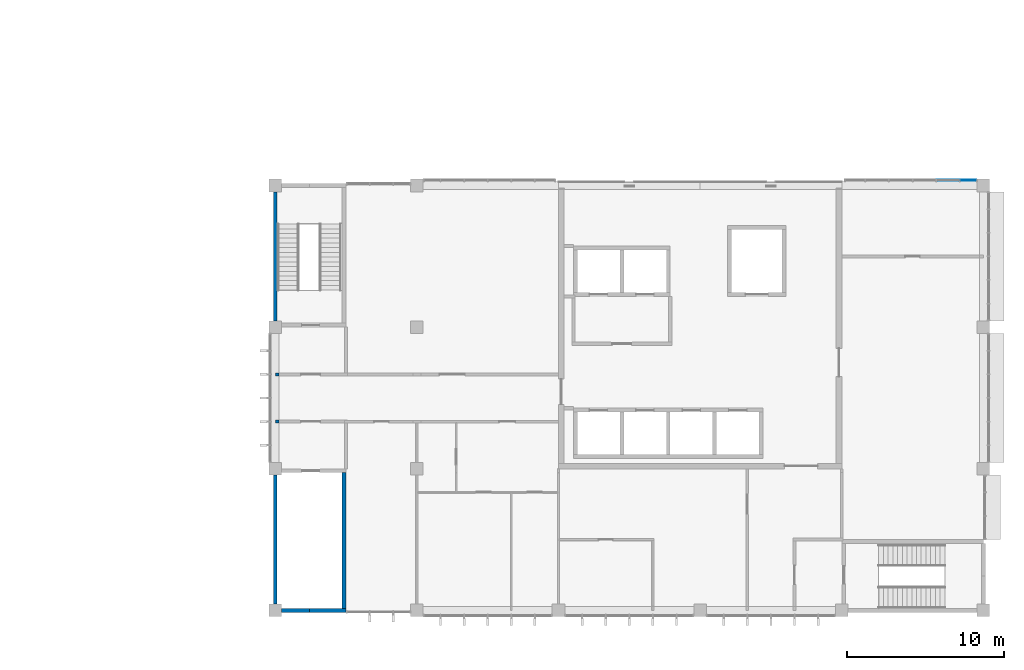
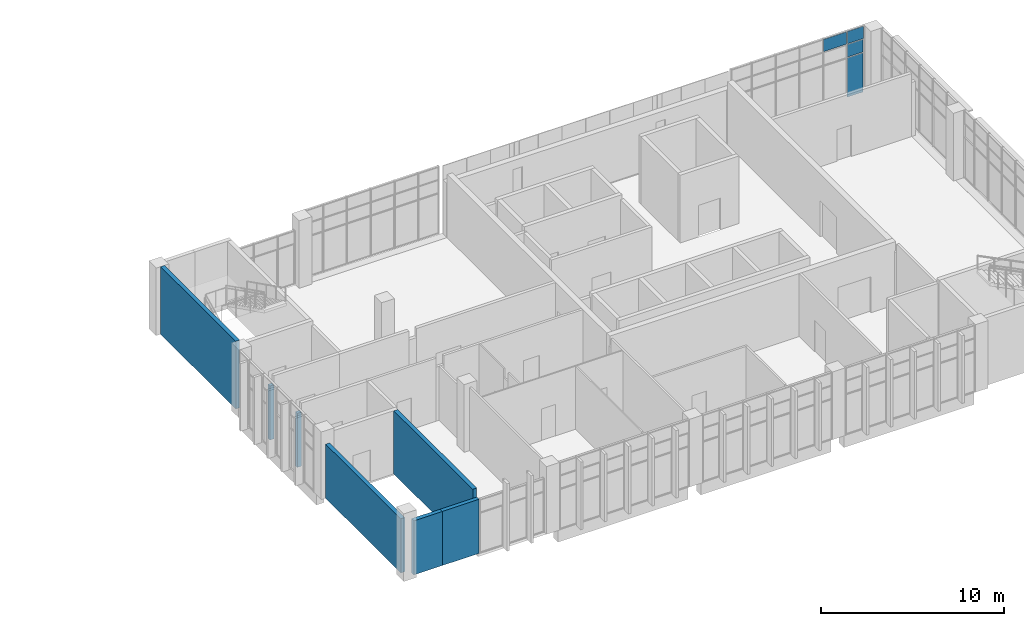
# One storey, part 12 of 19: 7 walls, 4 plates, 1 element without a shape of its own.
"""IFC4 building model written with IfcOpenShell, lengths in metres."""

from ifc_helpers import new_model, si_unit, direction, frame, frame_2d, origin, origin_2d, place, context, subcontext, project, spatial, rectangle, extrude, material, layer, layer_set, type_object, element, aggregate, save


model = new_model("IFC4")

# Units and contexts
model_context = context("Model", 3, precision=1e-05, world=origin(), true_north=direction((0.0, 1.0)))
body_context = subcontext(model_context, "Body", "Model", "MODEL_VIEW")
ifc_project = project(units=[si_unit("LENGTHUNIT", "METRE"), si_unit("AREAUNIT", "SQUARE_METRE"), si_unit("VOLUMEUNIT", "CUBIC_METRE"), si_unit("PLANEANGLEUNIT", "RADIAN"), si_unit("MASSUNIT", "GRAM", prefix="KILO")], contexts=[model_context])

# Site, building, storey
site_placement = place(None, origin())
site = spatial("IfcSite", under=ifc_project, at=site_placement, CompositionType="ELEMENT")
building_placement = place(site_placement, origin())
building = spatial("IfcBuilding", under=site, at=building_placement, Name="Guidao Yard Department Store", CompositionType="ELEMENT")
storey_placement = place(building_placement, frame((0.0, 0.0, 33.0)))
storey = spatial("IfcBuildingStorey", under=building, at=storey_placement, Name="L07", CompositionType="ELEMENT", Elevation=33.0)

# Curtain wall, plates
ifc_material_1 = material(Name="Aluminium and glass", Category="aluminium")
ifc_layer_1 = layer(ifc_material_1, 0.159912109375)
ifc_layer_set_1 = layer_set([ifc_layer_1], Name="Unitised curtain wall CW4 1500 module")
curtain_wall_type = type_object("IfcCurtainWallType", Name="Unitised curtain wall CW4 1500 module", PredefinedType="NOTDEFINED", material=ifc_layer_set_1)
curtain_wall_placement = place(storey_placement, origin())
curtain_wall = element("IfcCurtainWall", 1, at=curtain_wall_placement, inside=storey, type_object=curtain_wall_type, Name="Unitised curtain wall", PredefinedType="NOTDEFINED")
ifc_material_2 = material(Name="Aluminium 6063-T5 faced insulated spandrel", Category="aluminium")
ifc_layer_2 = layer(ifc_material_2, 0.06005859375)
ifc_layer_set_2 = layer_set([ifc_layer_2], Name="Spandrel panel SP1 insulated opaque")
plate_type_1 = type_object("IfcPlateType", Name="Spandrel panel SP1 insulated opaque", PredefinedType="CURTAIN_PANEL", material=ifc_layer_set_2)
plate_1_placement = place(storey_placement, frame((168.75, 27.330078125, 3.6298828125), z_axis=(0.0, 0.0, 1.0), x_axis=(1.0, 0.0, 0.0)))
plate_1 = element("IfcPlate", 2, at=plate_1_placement, type_object=plate_type_1, Name="CW-OW-L07-08 panel 5.3", PredefinedType="CURTAIN_PANEL", context=body_context, shape_type="SweptSolid", body=[
    extrude(rectangle(XDim=1.43994140625, YDim=0.06005859375, at=origin_2d()), origin(), (0.0, 0.0, 1.0), 0.81005859375),
])
plate_2_placement = place(storey_placement, frame((170.034912109375, 27.330078125, 3.6298828125), z_axis=(0.0, 0.0, 1.0), x_axis=(1.0, 0.0, 0.0)))
plate_2 = element("IfcPlate", 3, at=plate_2_placement, type_object=plate_type_1, Name="CW-OW-L07-08 panel 6.3", PredefinedType="CURTAIN_PANEL", context=body_context, shape_type="SweptSolid", body=[
    extrude(rectangle(XDim=1.010009765625, YDim=0.06005859375, at=origin_2d()), origin(), (0.0, 0.0, 1.0), 0.81005859375),
])
ifc_material_3 = material(Name="Laminated heat-soaked tempered glass", Category="glass")
ifc_layer_3 = layer(ifc_material_3, 0.017578125)
ifc_layer_set_3 = layer_set([ifc_layer_3], Name="Vision glass VG1 laminated heat-soaked tempered 8+8")
plate_type_2 = type_object("IfcPlateType", Name="Vision glass VG1 laminated heat-soaked tempered 8+8", PredefinedType="CURTAIN_PANEL", material=ifc_layer_set_3)
plate_3_placement = place(storey_placement, frame((170.034912109375, 27.330078125, 0.06005859375), z_axis=(0.0, 0.0, 1.0), x_axis=(1.0, 0.0, 0.0)))
plate_3 = element("IfcPlate", 4, at=plate_3_placement, type_object=plate_type_2, Name="CW-OW-L07-08 panel 6.1", PredefinedType="CURTAIN_PANEL", context=body_context, shape_type="SweptSolid", body=[
    extrude(rectangle(XDim=1.010009765625, YDim=0.017578125, at=origin_2d()), origin(), (0.0, 0.0, 1.0), 2.610107421875),
])
plate_4_placement = place(storey_placement, frame((170.034912109375, 27.330078125, 2.72998046875), z_axis=(0.0, 0.0, 1.0), x_axis=(1.0, 0.0, 0.0)))
plate_4 = element("IfcPlate", 5, at=plate_4_placement, type_object=plate_type_2, Name="CW-OW-L07-08 panel 6.2", PredefinedType="CURTAIN_PANEL", context=body_context, shape_type="SweptSolid", body=[
    extrude(rectangle(XDim=1.010009765625, YDim=0.017578125, at=origin_2d()), origin(), (0.0, 0.0, 1.0), 0.840087890625),
])
aggregate(curtain_wall, [plate_1, plate_3, plate_4, plate_2])

# Walls
ifc_material_4 = material(Name="Autoclaved aerated concrete block A3.5 B06", Category="concrete")
ifc_layer_4 = layer(ifc_material_4, 0.199951171875)
ifc_layer_set_4 = layer_set([ifc_layer_4], Name="Shaft Wall 200 Autoclaved Block EI 120")
wall_type_1 = type_object("IfcWallType", Name="Shaft Wall 200 Autoclaved Block EI 120", PredefinedType="PARTITIONING", material=ifc_layer_set_4)
for number, where, z_axis, x_axis, name in (
    (6, (126.0, 12.0, 0.0), (0.0, 0.0, 1.0), (1.0, 0.0, 0.0), "pt.wall.L07.0005"),
    (7, (126.0, 15.0, 0.0), (0.0, 0.0, 1.0), (1.0, 0.0, 0.0), "pt.wall.L07.0008"),
):
    element("IfcWall", number, at=place(storey_placement, frame(where, z_axis=z_axis, x_axis=x_axis)), inside=storey, type_object=wall_type_1, Name=name, PredefinedType="PARTITIONING", context=body_context, shape_type="SweptSolid", body=[
        extrude(rectangle(XDim=0.25, YDim=0.199951171875, at=frame_2d((0.125, 0.0))), origin(), (0.0, 0.0, 1.0), 3.60009765625),
    ])
ifc_material_5 = material(Name="Concrete C40", Category="concrete")
ifc_layer_5 = layer(ifc_material_5, 0.25)
ifc_layer_set_5 = layer_set([ifc_layer_5], Name="Wall RC 250 C40 stair and shaft")
wall_type_2 = type_object("IfcWallType", Name="Wall RC 250 C40 stair and shaft", PredefinedType="SHEAR", material=ifc_layer_set_5)
wall_1_placement = place(storey_placement, frame((126.39990234375, 0.0, 0.0), z_axis=(0.0, 0.0, 1.0), x_axis=(1.0, 0.0, 0.0)))
element("IfcWall", 8, at=wall_1_placement, inside=storey, type_object=wall_type_2, Name="Stair wall SO1", PredefinedType="SHEAR", context=body_context, shape_type="SweptSolid", body=[
    extrude(rectangle(XDim=1.7880859375, YDim=0.25, at=frame_2d((0.89404296875, 0.0))), origin(), (0.0, 0.0, 1.0), 3.60009765625),
])
wall_2_placement = place(storey_placement, frame((128.18798828125, 0.0, 0.0), z_axis=(0.0, 0.0, 1.0), x_axis=(1.0, 0.0, 0.0)))
element("IfcWall", 9, at=wall_2_placement, inside=storey, type_object=wall_type_2, Name="Stair wall SO1", PredefinedType="SHEAR", context=body_context, shape_type="SweptSolid", body=[
    extrude(rectangle(XDim=2.31201171875, YDim=0.25, at=frame_2d((1.156005859375, 0.0))), origin(), (0.0, 0.0, 1.0), 3.60009765625),
])
wall_3_placement = place(storey_placement, frame((126.0, 0.39990234375, 0.0), z_axis=(0.0, 0.0, 1.0), x_axis=(0.0, 1.0, 0.0)))
element("IfcWall", 10, at=wall_3_placement, inside=storey, type_object=wall_type_2, Name="Stair wall SO1", PredefinedType="SHEAR", context=body_context, shape_type="SweptSolid", body=[
    extrude(rectangle(XDim=8.2001953125, YDim=0.25, at=frame_2d((4.10009765625, 0.0))), origin(), (0.0, 0.0, 1.0), 3.60009765625),
])
wall_4_placement = place(storey_placement, frame((130.375, 0.125, 0.0), z_axis=(0.0, 0.0, 1.0), x_axis=(0.0, 1.0, 0.0)))
element("IfcWall", 11, at=wall_4_placement, inside=storey, type_object=wall_type_2, Name="Stair wall SO1", PredefinedType="SHEAR", context=body_context, shape_type="SweptSolid", body=[
    extrude(rectangle(XDim=8.625, YDim=0.25, at=frame_2d((4.3125, 0.0))), origin(), (0.0, 0.0, 1.0), 4.199951171875),
])
wall_5_placement = place(storey_placement, frame((126.0, 18.39990234375, 0.0), z_axis=(0.0, 0.0, 1.0), x_axis=(0.0, 1.0, 0.0)))
element("IfcWall", 12, at=wall_5_placement, inside=storey, type_object=wall_type_2, Name="Stair wall SO3", PredefinedType="SHEAR", context=body_context, shape_type="SweptSolid", body=[
    extrude(rectangle(XDim=8.2001953125, YDim=0.25, at=frame_2d((4.10009765625, 0.0))), origin(), (0.0, 0.0, 1.0), 4.5),
])

save(model, "model.ifc")
